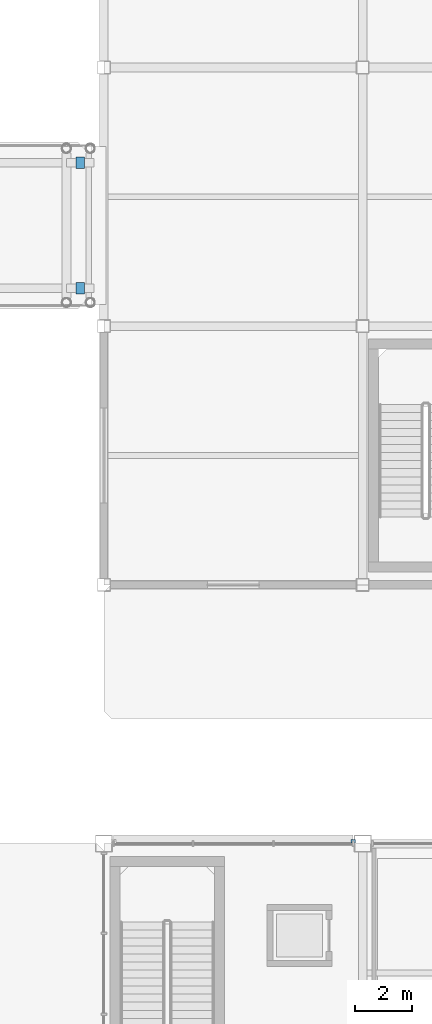
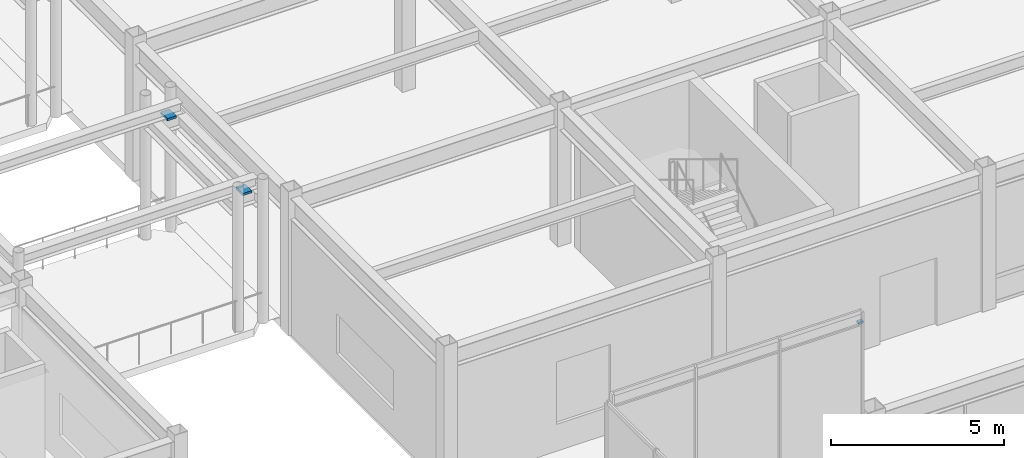
# One storey, part 99 of 123: 3 discrete accessories.
"""IFC4 building model written with IfcOpenShell, lengths in metres."""

from ifc_helpers import new_model, si_unit, direction, frame, origin, origin_2d, place, context, subcontext, project, spatial, rectangle, extrude, material, type_object, element, save


model = new_model("IFC4")

# Units and contexts
model_context = context("Model", 3, precision=1e-05, world=origin(), true_north=direction((0.0, 1.0)))
body_context = subcontext(model_context, "Body", "Model", "MODEL_VIEW")
ifc_project = project(units=[si_unit("LENGTHUNIT", "METRE"), si_unit("AREAUNIT", "SQUARE_METRE"), si_unit("VOLUMEUNIT", "CUBIC_METRE"), si_unit("PLANEANGLEUNIT", "RADIAN"), si_unit("MASSUNIT", "GRAM", prefix="KILO")], contexts=[model_context])

# Site, building, storey
site_placement = place(None, origin())
site = spatial("IfcSite", under=ifc_project, at=site_placement, CompositionType="ELEMENT")
building_placement = place(site_placement, origin())
building = spatial("IfcBuilding", under=site, at=building_placement, Name="Suzunagisa Mobility Hub", CompositionType="ELEMENT")
storey_placement = place(building_placement, origin())
storey = spatial("IfcBuildingStorey", under=building, at=storey_placement, Name="L00", CompositionType="ELEMENT", Elevation=0.0)

# Discrete accessories
ifc_material_1 = material(Name="Stainless Steel SUS316", Category="metal")
discrete_accessory_type_1 = type_object("IfcDiscreteAccessoryType", Name="Stainless Sunshade Outrigger Bracket BRK-01", PredefinedType="BRACKET", material=ifc_material_1)
discrete_accessory_placement = place(storey_placement, frame((53.66748046875, 71.0849609375, 8.08984375), z_axis=(0.0, 0.0, 1.0), x_axis=(-1.0, 0.0, 0.0)))
element("IfcDiscreteAccessory", 1, at=discrete_accessory_placement, inside=storey, type_object=discrete_accessory_type_1, Name="Sunshade Outrigger Bracket BRK-11.1", PredefinedType="BRACKET", context=body_context, shape_type="SweptSolid", body=[
    extrude(rectangle(XDim=0.159912109375, YDim=0.1201171875, at=origin_2d()), origin(), (0.0, 0.0, 1.0), 0.080078125),
])
ifc_material_2 = material(Name="PTFE Elastomeric Bearing Assembly")
discrete_accessory_type_2 = type_object("IfcDiscreteAccessoryType", Name="Unguided PTFE Sliding Bearing SBG-01", PredefinedType="SHOE", material=ifc_material_2)
for number, where, z_axis, x_axis, name in (
    (2, (44.175048828125, 90.320068359375, 4.409912109375), (0.0, 0.0, 1.0), (1.0, 0.0, 0.0), "Skybridge PTFE Sliding Bearing VRL-L01-S-A"),
    (3, (44.175048828125, 94.679931640625, 4.409912109375), (0.0, 0.0, 1.0), (1.0, 0.0, 0.0), "Skybridge PTFE Sliding Bearing VRL-L01-S-B"),
):
    element("IfcDiscreteAccessory", number, at=place(storey_placement, frame(where, z_axis=z_axis, x_axis=x_axis)), inside=storey, type_object=discrete_accessory_type_2, Name=name, PredefinedType="SHOE", context=body_context, shape_type="SweptSolid", body=[
        extrude(rectangle(XDim=0.300048828125, YDim=0.39990234375, at=origin_2d()), origin(), (0.0, 0.0, 1.0), 0.080078125),
    ])

save(model, "model.ifc")
